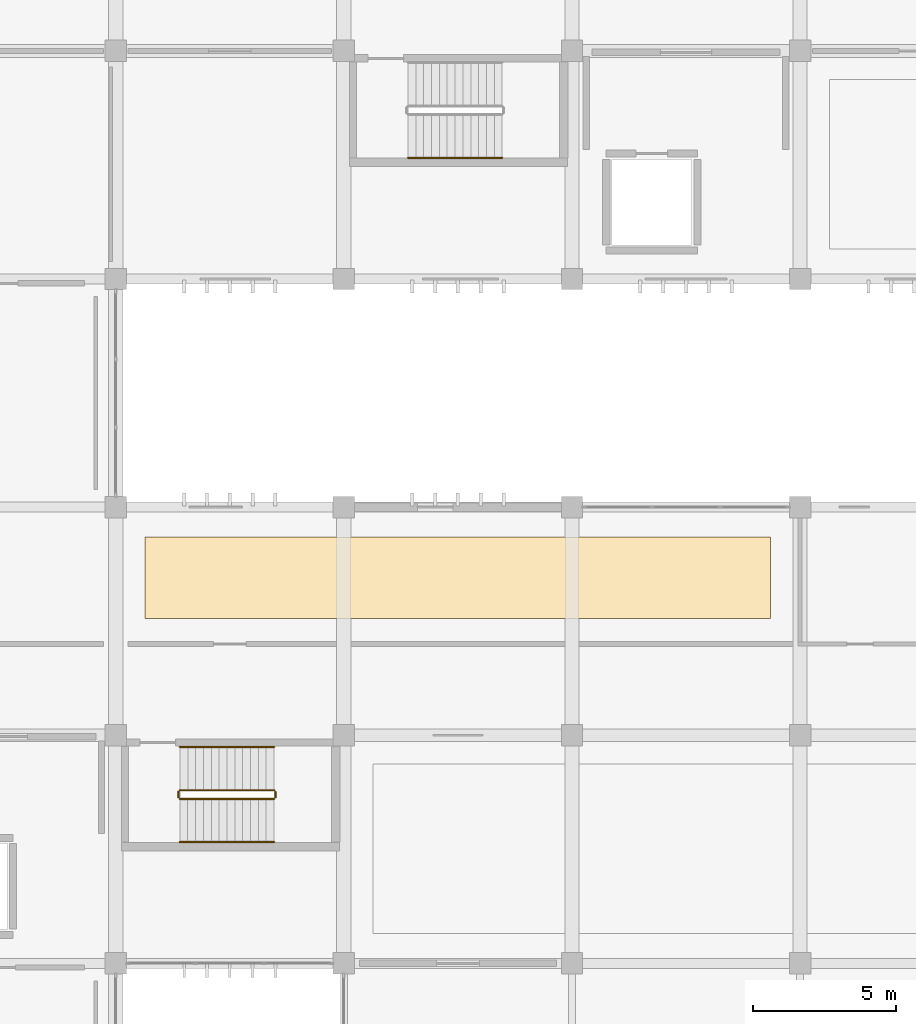
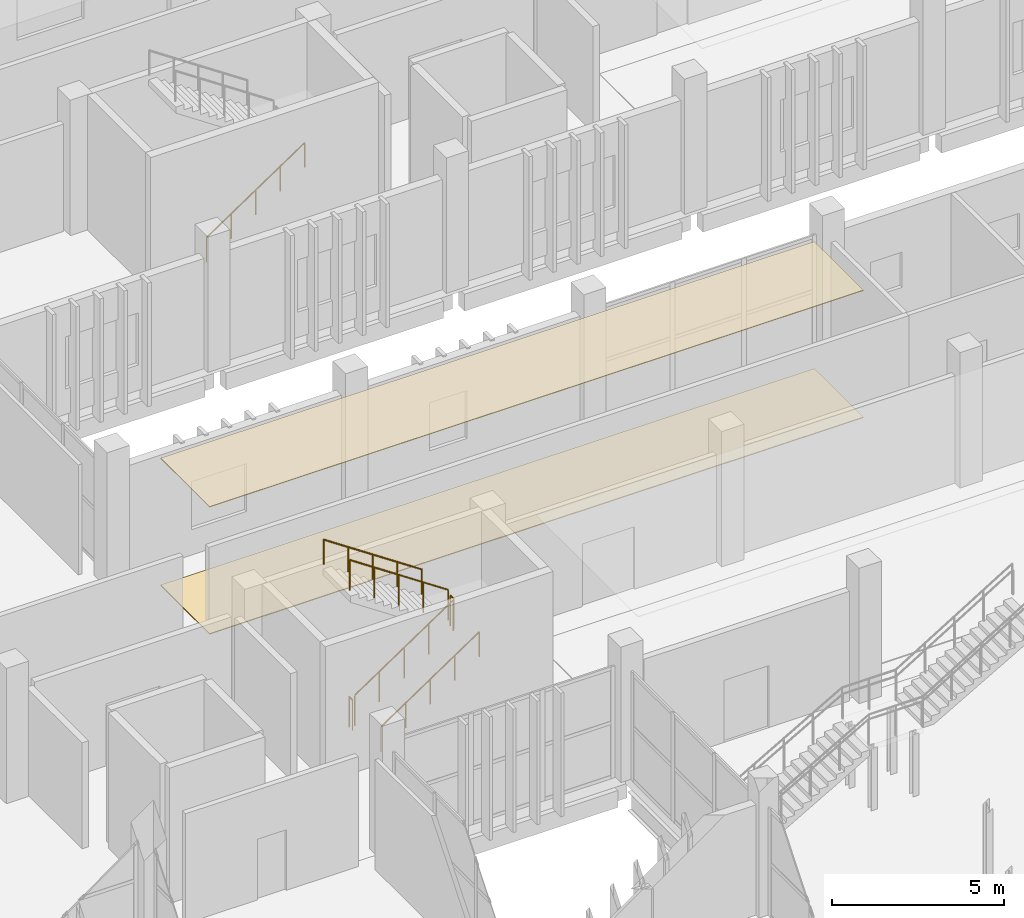
# One storey, part 113 of 117: 7 railings, 2 coverings.
"""IFC4 building model written with IfcOpenShell, lengths in metres."""

from ifc_helpers import new_model, si_unit, direction, frame, origin, origin_2d, place, context, subcontext, project, spatial, polyline, circle, outline, extrude, material, layer, layer_set, type_object, element, save


model = new_model("IFC4")

# Units and contexts
model_context = context("Model", 3, precision=1e-05, world=origin(), true_north=direction((0.0, 1.0)))
body_context = subcontext(model_context, "Body", "Model", "MODEL_VIEW")
ifc_project = project(units=[si_unit("LENGTHUNIT", "METRE"), si_unit("AREAUNIT", "SQUARE_METRE"), si_unit("VOLUMEUNIT", "CUBIC_METRE"), si_unit("PLANEANGLEUNIT", "RADIAN"), si_unit("MASSUNIT", "GRAM", prefix="KILO")], contexts=[model_context])

# Site, building, storey
site_placement = place(None, origin())
site = spatial("IfcSite", under=ifc_project, at=site_placement, CompositionType="ELEMENT")
building_placement = place(site_placement, origin())
building = spatial("IfcBuilding", under=site, at=building_placement, Name="Jelvoka-Kovrelna Polytechnic", CompositionType="ELEMENT")
storey_placement = place(building_placement, origin())
storey = spatial("IfcBuildingStorey", under=building, at=storey_placement, Name="L01", CompositionType="ELEMENT", Elevation=0.0)

# Coverings
ifc_material_1 = material(Name="Mineral fibre acoustic ceiling tile")
ifc_layer_1 = layer(ifc_material_1, 0.02490234375)
ifc_layer_set_1 = layer_set([ifc_layer_1], Name="Mineral fibre acoustic ceiling tile")
covering_type_1 = type_object("IfcCoveringType", Name="Covering_Acoustic_Ceiling_25", PredefinedType="CEILING", material=ifc_layer_set_1)
covering_1_placement = place(storey_placement, frame((0.0, 0.0, 4.510009765625)))
element("IfcCovering", 1, at=covering_1_placement, inside=storey, type_object=covering_type_1, Name="L01 acoustic ceiling 008", PredefinedType="CEILING", context=body_context, shape_type="SweptSolid", body=[
    extrude(outline(polyline([(153.030029296875, 44.10009765625), (174.969970703125, 44.10009765625), (174.969970703125, 46.949951171875), (153.030029296875, 46.949951171875), (153.030029296875, 44.10009765625)])), origin(), (0.0, 0.0, 1.0), 0.02490234375),
])
ifc_material_2 = material(Name="Polished epoxy terrazzo flooring")
ifc_layer_2 = layer(ifc_material_2, 0.030029296875)
ifc_layer_set_2 = layer_set([ifc_layer_2], Name="Polished epoxy terrazzo flooring")
covering_type_2 = type_object("IfcCoveringType", Name="Covering_Terrazzo_Floor_30", PredefinedType="FLOORING", material=ifc_layer_set_2)
covering_2_placement = place(storey_placement, origin())
element("IfcCovering", 2, at=covering_2_placement, inside=storey, type_object=covering_type_2, Name="L01 terrazzo floor finish 008", PredefinedType="FLOORING", context=body_context, shape_type="SweptSolid", body=[
    extrude(outline(polyline([(153.030029296875, 44.10009765625), (174.969970703125, 44.10009765625), (174.969970703125, 46.949951171875), (153.030029296875, 46.949951171875), (153.030029296875, 44.10009765625)])), origin(), (0.0, 0.0, 1.0), 0.030029296875),
])

# Railings
ifc_material_3 = material(Name="Powder-coated steel stair guard", Category="steel")
railing_type_1 = type_object("IfcRailingType", Name="Railing_Stair_Guard_1100", PredefinedType="GUARDRAIL", material=ifc_material_3)
railing_1_placement = place(storey_placement, frame((154.25, 37.77001953125, 0.1845703125)))
element("IfcRailing", 3, at=railing_1_placement, inside=storey, type_object=railing_type_1, Name="L01 ST08 stair guard 1", PredefinedType="GUARDRAIL", context=body_context, shape_type="SweptSolid", body=[
    extrude(circle(Radius=0.02392578125, at=origin_2d()), frame((0.0, 0.0, 1.076171875), z_axis=(0.830269453126, 0.0, 0.557362211857), x_axis=(0.0, 1.0, 0.0)), (0.0, 0.0, 1.0), 3.974609375),
    extrude(circle(Radius=0.02099609375, at=origin_2d()), origin(), (0.0, 0.0, 1.0), 1.052001953125),
    extrude(circle(Radius=0.02099609375, at=origin_2d()), frame((0.824951171875, 0.0, 0.5537109375)), (0.0, 0.0, 1.0), 1.052001953125),
    extrude(circle(Radius=0.02099609375, at=origin_2d()), frame((1.64990234375, 0.0, 1.107666015625)), (0.0, 0.0, 1.0), 1.052001953125),
    extrude(circle(Radius=0.02099609375, at=origin_2d()), frame((2.47509765625, 0.0, 1.66162109375)), (0.0, 0.0, 1.0), 1.052001953125),
    extrude(circle(Radius=0.02099609375, at=origin_2d()), frame((3.300048828125, 0.0, 2.21533203125)), (0.0, 0.0, 1.0), 1.052001953125),
])
railing_2_placement = place(storey_placement, frame((157.60009765625, 37.820068359375, 2.39990234375)))
element("IfcRailing", 4, at=railing_2_placement, inside=storey, type_object=railing_type_1, Name="L01 ST08 stair guard 2", PredefinedType="GUARDRAIL", context=body_context, shape_type="SweptSolid", body=[
    extrude(circle(Radius=0.02392578125, at=origin_2d()), frame((0.0, 0.0, 1.076171875), z_axis=(0.0, 1.0, 0.0), x_axis=(-1.0, 0.0, 0.0)), (0.0, 0.0, 1.0), 0.199951171875),
    extrude(circle(Radius=0.02099609375, at=origin_2d()), origin(), (0.0, 0.0, 1.0), 1.052001953125),
    extrude(circle(Radius=0.02099609375, at=origin_2d()), frame((0.0, 0.199951171875, 0.0)), (0.0, 0.0, 1.0), 1.052001953125),
])
railing_3_placement = place(storey_placement, frame((157.550048828125, 38.070068359375, 2.584716796875)))
element("IfcRailing", 5, at=railing_3_placement, inside=storey, type_object=railing_type_1, Name="L01 ST08 stair guard 3", PredefinedType="GUARDRAIL", context=body_context, shape_type="SweptSolid", body=[
    extrude(circle(Radius=0.02392578125, at=origin_2d()), frame((0.0, 0.0, 1.076171875), z_axis=(-0.830269453126, 0.0, 0.557362211857), x_axis=(0.0, -1.0, 0.0)), (0.0, 0.0, 1.0), 3.974609375),
    extrude(circle(Radius=0.02099609375, at=origin_2d()), origin(), (0.0, 0.0, 1.0), 1.052001953125),
    extrude(circle(Radius=0.02099609375, at=origin_2d()), frame((-0.824951171875, 0.0, 0.5537109375)), (0.0, 0.0, 1.0), 1.052001953125),
    extrude(circle(Radius=0.02099609375, at=origin_2d()), frame((-1.64990234375, 0.0, 1.107666015625)), (0.0, 0.0, 1.0), 1.052001953125),
    extrude(circle(Radius=0.02099609375, at=origin_2d()), frame((-2.47509765625, 0.0, 1.66162109375)), (0.0, 0.0, 1.0), 1.052001953125),
    extrude(circle(Radius=0.02099609375, at=origin_2d()), frame((-3.300048828125, 0.0, 2.21533203125)), (0.0, 0.0, 1.0), 1.052001953125),
])
railing_4_placement = place(storey_placement, frame((154.199951171875, 37.820068359375, 0.0)))
element("IfcRailing", 6, at=railing_4_placement, inside=storey, type_object=railing_type_1, Name="L01 ST08 stair guard 4", PredefinedType="GUARDRAIL", context=body_context, shape_type="SweptSolid", body=[
    extrude(circle(Radius=0.02392578125, at=origin_2d()), frame((0.0, 0.0, 1.076171875), z_axis=(0.0, 1.0, 0.0), x_axis=(-1.0, 0.0, 0.0)), (0.0, 0.0, 1.0), 0.199951171875),
    extrude(circle(Radius=0.02099609375, at=origin_2d()), origin(), (0.0, 0.0, 1.0), 1.052001953125),
    extrude(circle(Radius=0.02099609375, at=origin_2d()), frame((0.0, 0.199951171875, 0.0)), (0.0, 0.0, 1.0), 1.052001953125),
])
ifc_material_4 = material(Name="Brushed stainless steel handrail", Category="steel")
railing_type_2 = type_object("IfcRailingType", Name="Railing_Stair_Handrail_900", PredefinedType="HANDRAIL", material=ifc_material_4)
railing_5_placement = place(storey_placement, frame((154.25, 36.25, 0.1845703125)))
element("IfcRailing", 7, at=railing_5_placement, inside=storey, type_object=railing_type_2, Name="L01 ST08 stair handrail 1", PredefinedType="HANDRAIL", context=body_context, shape_type="SweptSolid", body=[
    extrude(circle(Radius=0.02392578125, at=origin_2d()), frame((0.0, 0.0, 0.8759765625), z_axis=(0.830269453126, 0.0, 0.557362211857), x_axis=(0.0, 1.0, 0.0)), (0.0, 0.0, 1.0), 3.974609375),
    extrude(circle(Radius=0.02099609375, at=origin_2d()), origin(), (0.0, 0.0, 1.0), 0.851806640625),
    extrude(circle(Radius=0.02099609375, at=origin_2d()), frame((0.824951171875, 0.0, 0.5537109375)), (0.0, 0.0, 1.0), 0.851806640625),
    extrude(circle(Radius=0.02099609375, at=origin_2d()), frame((1.64990234375, 0.0, 1.107666015625)), (0.0, 0.0, 1.0), 0.851806640625),
    extrude(circle(Radius=0.02099609375, at=origin_2d()), frame((2.47509765625, 0.0, 1.66162109375)), (0.0, 0.0, 1.0), 0.851806640625),
    extrude(circle(Radius=0.02099609375, at=origin_2d()), frame((3.300048828125, 0.0, 2.21533203125)), (0.0, 0.0, 1.0), 0.851806640625),
])
railing_6_placement = place(storey_placement, frame((157.550048828125, 39.590087890625, 2.584716796875)))
element("IfcRailing", 8, at=railing_6_placement, inside=storey, type_object=railing_type_2, Name="L01 ST08 stair handrail 2", PredefinedType="HANDRAIL", context=body_context, shape_type="SweptSolid", body=[
    extrude(circle(Radius=0.02392578125, at=origin_2d()), frame((0.0, 0.0, 0.8759765625), z_axis=(-0.830269453126, 0.0, 0.557362211857), x_axis=(0.0, -1.0, 0.0)), (0.0, 0.0, 1.0), 3.974609375),
    extrude(circle(Radius=0.02099609375, at=origin_2d()), origin(), (0.0, 0.0, 1.0), 0.851806640625),
    extrude(circle(Radius=0.02099609375, at=origin_2d()), frame((-0.824951171875, 0.0, 0.5537109375)), (0.0, 0.0, 1.0), 0.851806640625),
    extrude(circle(Radius=0.02099609375, at=origin_2d()), frame((-1.64990234375, 0.0, 1.107666015625)), (0.0, 0.0, 1.0), 0.851806640625),
    extrude(circle(Radius=0.02099609375, at=origin_2d()), frame((-2.47509765625, 0.0, 1.66162109375)), (0.0, 0.0, 1.0), 0.851806640625),
    extrude(circle(Radius=0.02099609375, at=origin_2d()), frame((-3.300048828125, 0.0, 2.21533203125)), (0.0, 0.0, 1.0), 0.851806640625),
])
railing_7_placement = place(storey_placement, frame((162.25, 60.25, 0.1845703125)))
element("IfcRailing", 9, at=railing_7_placement, inside=storey, type_object=railing_type_2, Name="L01 ST10 stair handrail 1", PredefinedType="HANDRAIL", context=body_context, shape_type="SweptSolid", body=[
    extrude(circle(Radius=0.02392578125, at=origin_2d()), frame((0.0, 0.0, 0.8759765625), z_axis=(0.830269453126, 0.0, 0.557362211857), x_axis=(0.0, 1.0, 0.0)), (0.0, 0.0, 1.0), 3.974609375),
    extrude(circle(Radius=0.02099609375, at=origin_2d()), origin(), (0.0, 0.0, 1.0), 0.851806640625),
    extrude(circle(Radius=0.02099609375, at=origin_2d()), frame((0.824951171875, 0.0, 0.5537109375)), (0.0, 0.0, 1.0), 0.851806640625),
    extrude(circle(Radius=0.02099609375, at=origin_2d()), frame((1.64990234375, 0.0, 1.107666015625)), (0.0, 0.0, 1.0), 0.851806640625),
    extrude(circle(Radius=0.02099609375, at=origin_2d()), frame((2.47509765625, 0.0, 1.66162109375)), (0.0, 0.0, 1.0), 0.851806640625),
    extrude(circle(Radius=0.02099609375, at=origin_2d()), frame((3.300048828125, 0.0, 2.21533203125)), (0.0, 0.0, 1.0), 0.851806640625),
])

save(model, "model.ifc")
